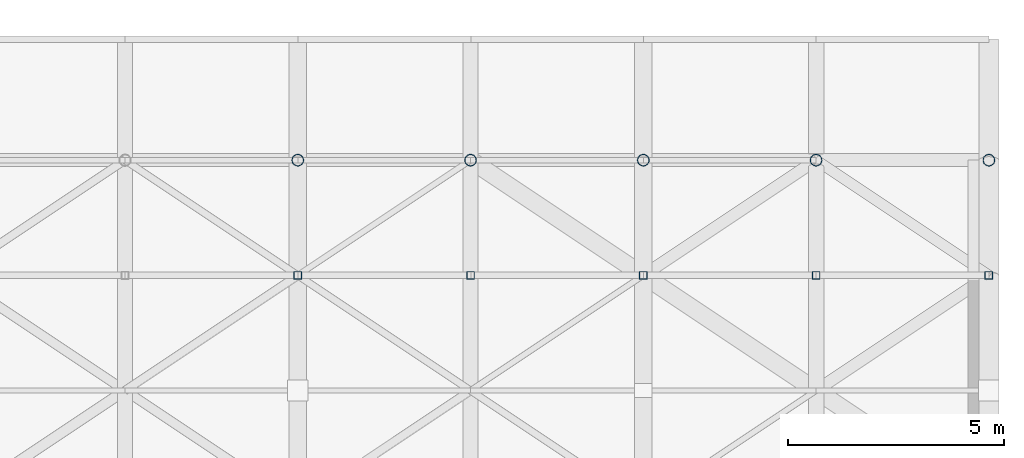
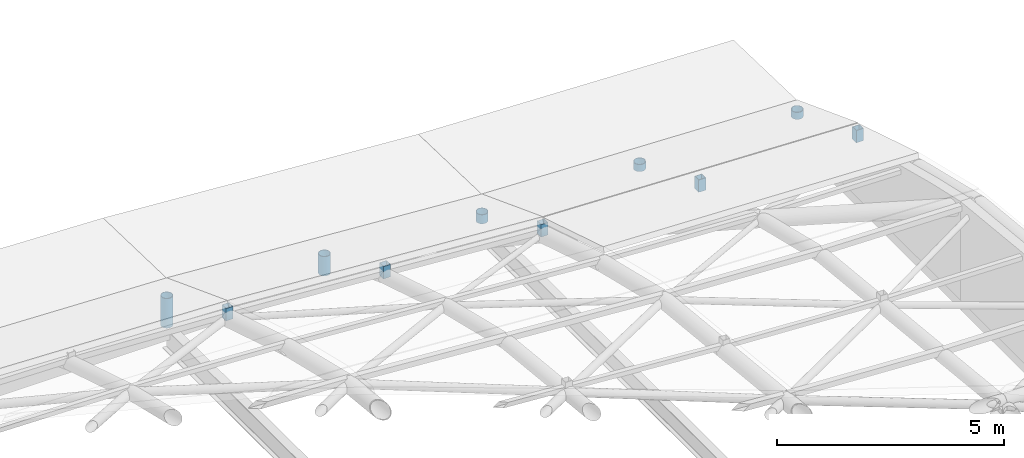
# One storey, part 17 of 20: 10 members.
"""IFC4 building model written with IfcOpenShell, lengths in metres."""

from ifc_helpers import new_model, si_unit, direction, frame, origin, origin_2d, place, context, subcontext, project, spatial, hollow_rectangle, hollow_circle, extrude, material, material_profile, profile_set, type_object, element, save


model = new_model("IFC4")

# Units and contexts
model_context = context("Model", 3, precision=1e-05, world=origin(), true_north=direction((0.0, 1.0)))
body_context = subcontext(model_context, "Body", "Model", "MODEL_VIEW")
ifc_project = project(units=[si_unit("LENGTHUNIT", "METRE"), si_unit("AREAUNIT", "SQUARE_METRE"), si_unit("VOLUMEUNIT", "CUBIC_METRE"), si_unit("PLANEANGLEUNIT", "RADIAN"), si_unit("MASSUNIT", "GRAM", prefix="KILO")], contexts=[model_context])

# Site, building, storey
site_placement = place(None, origin())
site = spatial("IfcSite", under=ifc_project, at=site_placement, CompositionType="ELEMENT")
building_placement = place(site_placement, origin())
building = spatial("IfcBuilding", under=site, at=building_placement, Name="Tenunan Teduh Sports Hall", CompositionType="ELEMENT")
storey_placement = place(building_placement, frame((0.0, 0.0, 23.39990234375)))
storey = spatial("IfcBuildingStorey", under=building, at=storey_placement, Name="RF", CompositionType="ELEMENT", Elevation=23.39990234375)

# Members
ifc_material_1 = material(Name="Steel S355", Category="steel")
ifc_material_profile_1 = material_profile(ifc_material_1, hollow_circle(Radius=0.136474609375, WallThickness=0.010009765625, at=origin_2d()), Name="CHS 273.0x10.0")
ifc_profile_set_1 = profile_set([ifc_material_profile_1], Name="Steel S355")
member_type_1 = type_object("IfcMemberType", Name="MEM-ST-CHS273", PredefinedType="STRUT", material=ifc_profile_set_1)
member_1_placement = place(storey_placement, frame((38.0, 46.0, -0.349853515625), z_axis=(0.0, 0.0, 1.0), x_axis=(1.0, 0.0, 0.0)))
element("IfcMember", 1, at=member_1_placement, inside=storey, type_object=member_type_1, Name="MEM-VS-04-RF-0473", PredefinedType="STRUT", context=body_context, shape_type="SweptSolid", body=[
    extrude(hollow_circle(Radius=0.136474609375, WallThickness=0.010009765625, at=origin_2d()), origin(), (0.0, 0.0, 1.0), 0.794189453125),
])
member_2_placement = place(storey_placement, frame((42.0, 46.0, -0.349853515625), z_axis=(0.0, 0.0, 1.0), x_axis=(1.0, 0.0, 0.0)))
element("IfcMember", 2, at=member_2_placement, inside=storey, type_object=member_type_1, Name="MEM-VS-04-RF-0481", PredefinedType="STRUT", context=body_context, shape_type="SweptSolid", body=[
    extrude(hollow_circle(Radius=0.136474609375, WallThickness=0.010009765625, at=origin_2d()), origin(), (0.0, 0.0, 1.0), 0.520751953125),
])
member_3_placement = place(storey_placement, frame((46.0, 46.0, -0.349853515625), z_axis=(0.0, 0.0, 1.0), x_axis=(1.0, 0.0, 0.0)))
element("IfcMember", 3, at=member_3_placement, inside=storey, type_object=member_type_1, Name="MEM-VS-04-RF-0489", PredefinedType="STRUT", context=body_context, shape_type="SweptSolid", body=[
    extrude(hollow_circle(Radius=0.136474609375, WallThickness=0.010009765625, at=origin_2d()), origin(), (0.0, 0.0, 1.0), 0.243408203125),
])
for number, where, z_axis, x_axis, name in (
    (4, (50.0, 46.0, -0.349853515625), (0.0, 0.0, 1.0), (1.0, 0.0, 0.0), "MEM-VS-04-RF-0497"),
    (5, (54.0, 46.0, -0.349853515625), (0.0, 0.0, 1.0), (1.0, 0.0, 0.0), "MEM-VS-04-RF-0505"),
):
    element("IfcMember", number, at=place(storey_placement, frame(where, z_axis=z_axis, x_axis=x_axis)), inside=storey, type_object=member_type_1, Name=name, PredefinedType="STRUT", context=body_context, shape_type="SweptSolid", body=[
        extrude(hollow_circle(Radius=0.136474609375, WallThickness=0.010009765625, at=origin_2d()), origin(), (0.0, 0.0, 1.0), 0.18994140625),
    ])
ifc_material_2 = material(Name="Steel S355", Category="steel")
ifc_material_profile_2 = material_profile(ifc_material_2, hollow_rectangle(XDim=0.179931640625, YDim=0.179931640625, WallThickness=0.010009765625, at=origin_2d()), Name="SHS 180x180x10.0")
ifc_profile_set_2 = profile_set([ifc_material_profile_2], Name="Steel S355")
member_type_2 = type_object("IfcMemberType", Name="MEM-ST-SHS180", PredefinedType="STRUT", material=ifc_profile_set_2)
for number, where, z_axis, x_axis, name in (
    (6, (38.0, 43.333251953125, 1.4521484375), (0.0, 0.0, 1.0), (1.0, 0.0, 0.0), "MEM-VS-03-RF-0479"),
    (7, (42.0, 43.333251953125, 1.1787109375), (0.0, 0.0, 1.0), (1.0, 0.0, 0.0), "MEM-VS-03-RF-0487"),
    (8, (46.0, 43.333251953125, 0.9013671875), (0.0, 0.0, 1.0), (1.0, 0.0, 0.0), "MEM-VS-03-RF-0495"),
    (9, (50.0, 43.333251953125, 0.7021484375), (0.0, 0.0, 1.0), (1.0, 0.0, 0.0), "MEM-VS-03-RF-0503"),
    (10, (54.0, 43.333251953125, 0.6279296875), (0.0, 0.0, 1.0), (1.0, 0.0, 0.0), "MEM-VS-03-RF-0511"),
):
    element("IfcMember", number, at=place(storey_placement, frame(where, z_axis=z_axis, x_axis=x_axis)), inside=storey, type_object=member_type_2, Name=name, PredefinedType="STRUT", context=body_context, shape_type="SweptSolid", body=[
        extrude(hollow_rectangle(XDim=0.179931640625, YDim=0.179931640625, WallThickness=0.010009765625, at=origin_2d()), origin(), (0.0, 0.0, 1.0), 0.330078125),
    ])

save(model, "model.ifc")
